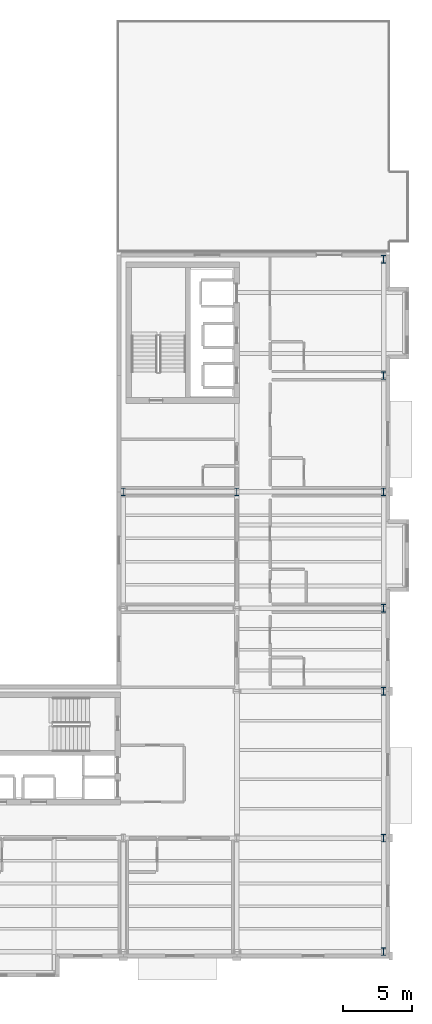
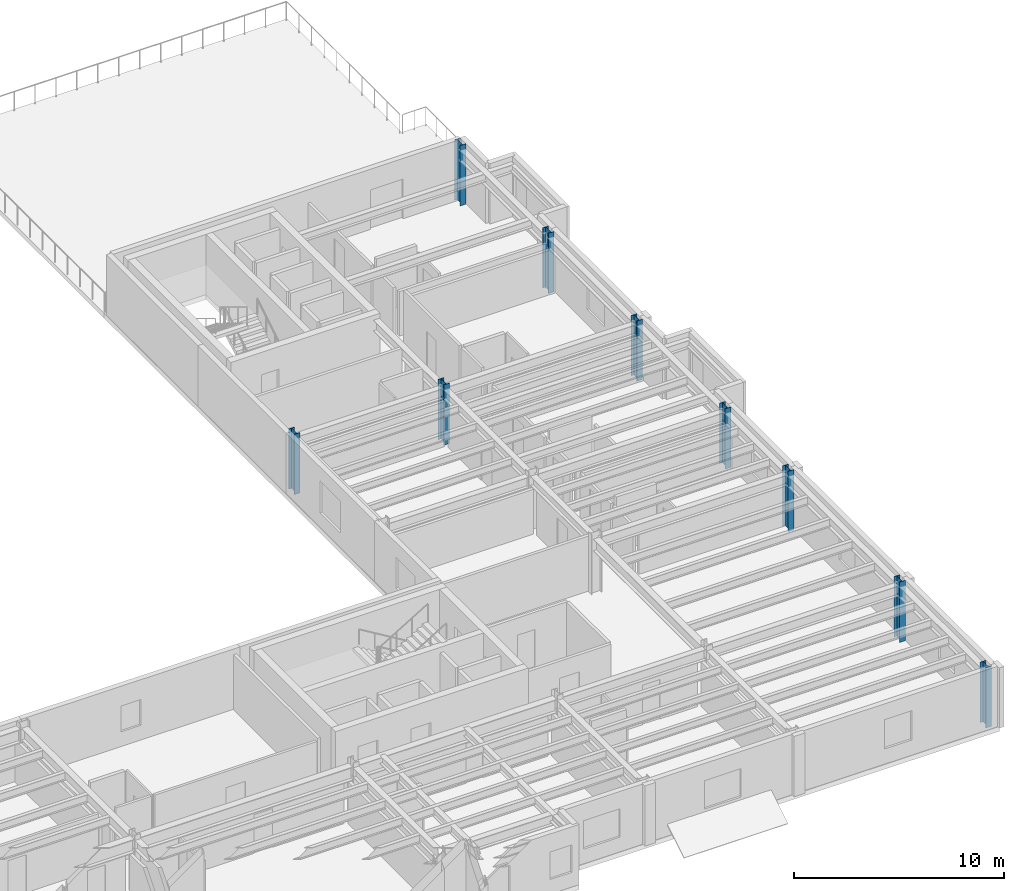
# One storey, part 3 of 19: 9 columns.
"""IFC4 building model written with IfcOpenShell, lengths in metres."""

from ifc_helpers import new_model, si_unit, direction, frame, origin, origin_2d, place, context, subcontext, project, spatial, i_section, extrude, material, material_profile, profile_set, type_object, element, save


model = new_model("IFC4")

# Units and contexts
model_context = context("Model", 3, precision=1e-05, world=origin(), true_north=direction((0.0, 1.0)))
body_context = subcontext(model_context, "Body", "Model", "MODEL_VIEW")
ifc_project = project(units=[si_unit("LENGTHUNIT", "METRE"), si_unit("AREAUNIT", "SQUARE_METRE"), si_unit("VOLUMEUNIT", "CUBIC_METRE"), si_unit("PLANEANGLEUNIT", "RADIAN"), si_unit("MASSUNIT", "GRAM", prefix="KILO")], contexts=[model_context])

# Site, building, storey
site_placement = place(None, origin())
site = spatial("IfcSite", under=ifc_project, at=site_placement, CompositionType="ELEMENT")
building_placement = place(site_placement, origin())
building = spatial("IfcBuilding", under=site, at=building_placement, Name="Sollismere Congress Hotel", CompositionType="ELEMENT")
storey_placement = place(building_placement, frame((0.0, 0.0, 34.10009765625)))
storey = spatial("IfcBuildingStorey", under=building, at=storey_placement, Name="L08", CompositionType="ELEMENT", Elevation=34.10009765625)

# Columns
ifc_material = material(Name="Steel ASTM A992 Grade 50", Category="steel")
ifc_material_profile = material_profile(ifc_material, i_section(OverallWidth=0.31494140625, OverallDepth=0.551025390625, WebThickness=0.01513671875, FlangeThickness=0.0244140625, at=origin_2d()), Name="W21X122")
ifc_profile_set = profile_set([ifc_material_profile], Name="Steel ASTM A992 Grade 50")
column_type = type_object("IfcColumnType", Name="COL-W21", PredefinedType="COLUMN", material=ifc_profile_set)
for number, where, z_axis, x_axis, name in (
    (1, (147.199951171875, 33.199951171875, 0.0), (0.0, 0.0, 1.0), (1.0, 0.0, 0.0), "Column CL-L08-828"),
    (2, (155.39990234375, 33.199951171875, 0.0), (0.0, 0.0, 1.0), (1.0, 0.0, 0.0), "Column CL-L08-916"),
    (3, (166.0, 0.0, 0.0), (0.0, 0.0, 1.0), (1.0, 0.0, 0.0), "Column CL-L08-952"),
    (4, (166.0, 8.199951171875, 0.0), (0.0, 0.0, 1.0), (1.0, 0.0, 0.0), "Column CL-L08-965"),
    (5, (166.0, 18.800048828125, 0.0), (0.0, 0.0, 1.0), (1.0, 0.0, 0.0), "Column CL-L08-978"),
    (6, (166.0, 24.800048828125, 0.0), (0.0, 0.0, 1.0), (1.0, 0.0, 0.0), "Column CL-L08-991"),
    (7, (166.0, 33.199951171875, 0.0), (0.0, 0.0, 1.0), (1.0, 0.0, 0.0), "Column CL-L08-1004"),
    (8, (166.0, 41.60009765625, 0.0), (0.0, 0.0, 1.0), (1.0, 0.0, 0.0), "Column CL-L08-1017"),
    (9, (166.0, 50.0, 0.0), (0.0, 0.0, 1.0), (1.0, 0.0, 0.0), "Column CL-L08-1030"),
):
    element("IfcColumn", number, at=place(storey_placement, frame(where, z_axis=z_axis, x_axis=x_axis)), inside=storey, type_object=column_type, Name=name, PredefinedType="COLUMN", context=body_context, shape_type="SweptSolid", body=[
        extrude(i_section(OverallWidth=0.31494140625, OverallDepth=0.551025390625, WebThickness=0.01513671875, FlangeThickness=0.0244140625, at=origin_2d()), origin(), (0.0, 0.0, 1.0), 3.5),
    ])

save(model, "model.ifc")
